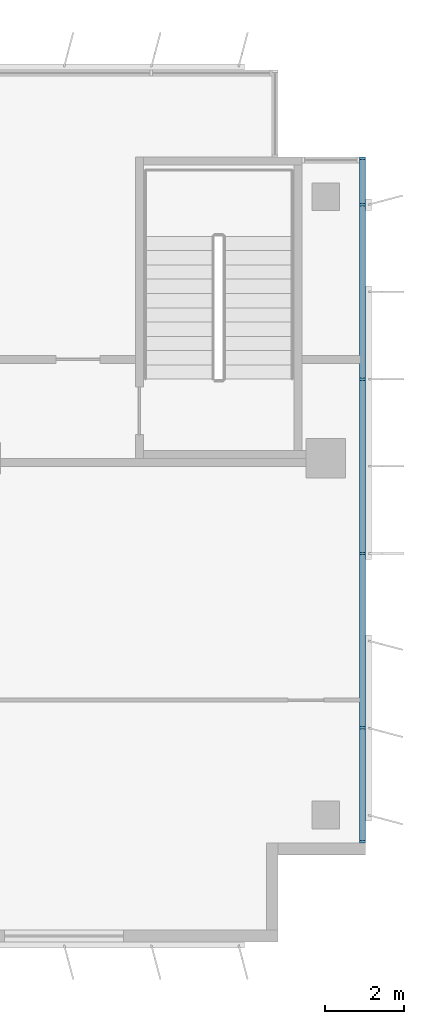
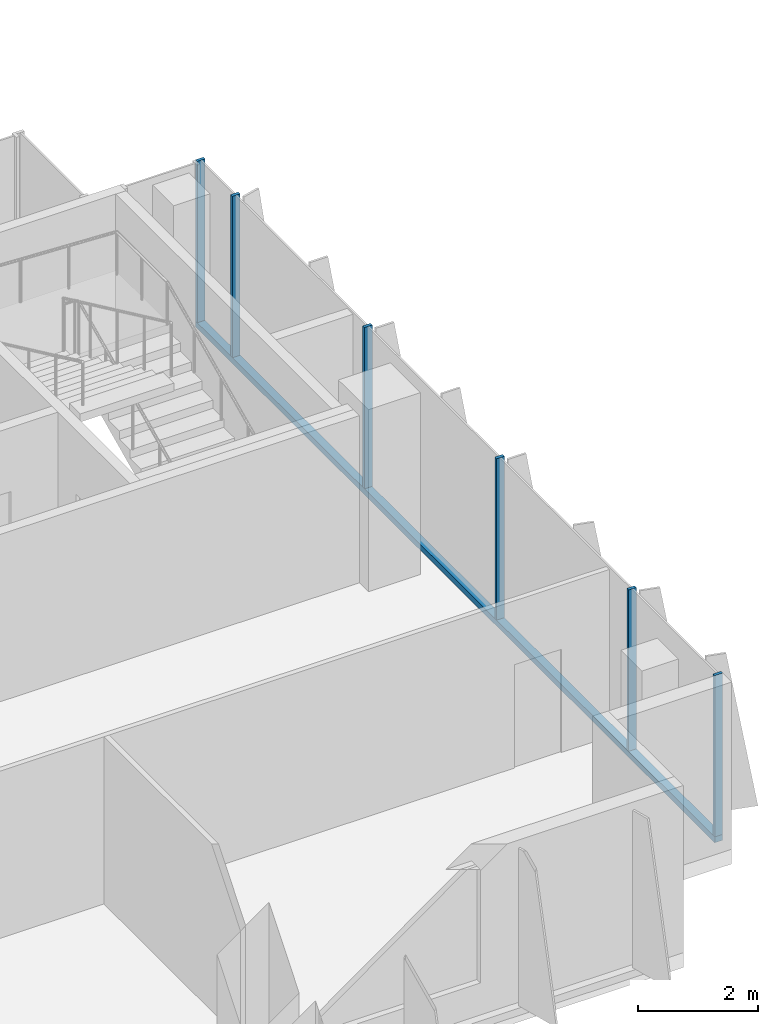
# One storey, part 8 of 21: 7 members, 1 element without a shape of its own.
"""IFC4 building model written with IfcOpenShell, lengths in metres."""

from ifc_helpers import new_model, si_unit, direction, frame, origin, origin_2d, place, context, subcontext, project, spatial, rectangle, extrude, source, transform, mapped, material, material_profile, profile_set, type_object, element, aggregate, save


model = new_model("IFC4")

# Units and contexts
model_context = context("Model", 3, precision=1e-05, world=origin(), true_north=direction((0.0, 1.0)))
body_context = subcontext(model_context, "Body", "Model", "MODEL_VIEW")
ifc_project = project(units=[si_unit("LENGTHUNIT", "METRE"), si_unit("AREAUNIT", "SQUARE_METRE"), si_unit("VOLUMEUNIT", "CUBIC_METRE"), si_unit("PLANEANGLEUNIT", "RADIAN"), si_unit("MASSUNIT", "GRAM", prefix="KILO")], contexts=[model_context])

# Site, building, storey
site_placement = place(None, origin())
site = spatial("IfcSite", under=ifc_project, at=site_placement, CompositionType="ELEMENT")
building_placement = place(site_placement, origin())
building = spatial("IfcBuilding", under=site, at=building_placement, Name="Kemantara Hotel Tower", CompositionType="ELEMENT")
storey_placement = place(building_placement, frame((0.0, 0.0, 179.0)))
storey = spatial("IfcBuildingStorey", under=building, at=storey_placement, Name="L44", CompositionType="ELEMENT", Elevation=179.0)

# Curtain wall, members
ifc_material_1 = material(Name="Low-E tinted double insulated glass 36 mm", Category="glass")
curtain_wall_type = type_object("IfcCurtainWallType", Name="TOWER CURTAIN WALL, FRONT FACES", PredefinedType="USERDEFINED", material=ifc_material_1)
curtain_wall_placement = place(storey_placement, origin())
curtain_wall = element("IfcCurtainWall", 1, at=curtain_wall_placement, inside=storey, type_object=curtain_wall_type, Name="CW4 L44 T3-R11-1", ObjectType="TOWER CURTAIN WALL, FRONT FACES", PredefinedType="USERDEFINED")
ifc_material_2 = material(Name="Aluminium 6063-T6 bronze anodised", Category="aluminium")
ifc_material_profile_1 = material_profile(ifc_material_2, rectangle(XDim=0.14990234375, YDim=0.1201171875, at=origin_2d()), Name="TOWER CURTAIN WALL, FRONT FACES TRANSOM")
ifc_profile_set_1 = profile_set([ifc_material_profile_1], Name="Aluminium 6063-T6 bronze anodised")
member_type_1 = type_object("IfcMemberType", Name="TOWER CURTAIN WALL, FRONT FACES TRANSOM", PredefinedType="USERDEFINED", material=ifc_profile_set_1)
member_1_placement = place(storey_placement, frame((63.52490234375, 2.5, 0.06005859375), z_axis=(0.0, 1.0, 0.0), x_axis=(-1.0, 0.0, 0.0)))
member_1 = element("IfcMember", 2, at=member_1_placement, type_object=member_type_1, Name="CW4 sill transom T3-R11-1", ObjectType="TRANSOM", PredefinedType="USERDEFINED", context=body_context, shape_type="SweptSolid", body=[
    extrude(rectangle(XDim=0.14990234375, YDim=0.1201171875, at=origin_2d()), origin(), (0.0, 0.0, 1.0), 17.300048828125),
])
ifc_material_profile_2 = material_profile(ifc_material_2, rectangle(XDim=0.14990234375, YDim=0.06005859375, at=origin_2d()), Name="TOWER CURTAIN WALL, FRONT FACES MULLION")
ifc_profile_set_2 = profile_set([ifc_material_profile_2], Name="Aluminium 6063-T6 bronze anodised")
member_type_2 = type_object("IfcMemberType", Name="TOWER CURTAIN WALL, FRONT FACES MULLION", PredefinedType="MULLION", material=ifc_profile_set_2)
shared_shape = source(origin(), body_context, "Body", "SweptSolid", [
    extrude(rectangle(XDim=0.14990234375, YDim=0.06005859375, at=origin_2d()), origin(), (0.0, 0.0, 1.0), 3.27978515625),
])
member_2_placement = place(storey_placement, frame((63.52490234375, 2.530029296875, 0.1201171875), z_axis=(0.0, 0.0, 1.0), x_axis=(-1.0, 0.0, 0.0)))
member_2 = element("IfcMember", 3, at=member_2_placement, type_object=member_type_2, Name="CW4 mullion T3-R11-1.1", PredefinedType="MULLION", context=body_context, shape_type="MappedRepresentation", body=[
    mapped(shared_shape, transform((0.0, 0.0, 0.0))),
])
member_3_placement = place(storey_placement, frame((63.52490234375, 5.39990234375, 0.1201171875), z_axis=(0.0, 0.0, 1.0), x_axis=(-1.0, 0.0, 0.0)))
member_3 = element("IfcMember", 4, at=member_3_placement, type_object=member_type_2, Name="CW4 mullion T3-R11-1.2", PredefinedType="MULLION", context=body_context, shape_type="MappedRepresentation", body=[
    mapped(shared_shape, transform((0.0, 0.0, 0.0))),
])
member_4_placement = place(storey_placement, frame((63.52490234375, 9.800048828125, 0.1201171875), z_axis=(0.0, 0.0, 1.0), x_axis=(-1.0, 0.0, 0.0)))
member_4 = element("IfcMember", 5, at=member_4_placement, type_object=member_type_2, Name="CW4 mullion T3-R11-1.3", PredefinedType="MULLION", context=body_context, shape_type="MappedRepresentation", body=[
    mapped(shared_shape, transform((0.0, 0.0, 0.0))),
])
member_5_placement = place(storey_placement, frame((63.52490234375, 14.199951171875, 0.1201171875), z_axis=(0.0, 0.0, 1.0), x_axis=(-1.0, 0.0, 0.0)))
member_5 = element("IfcMember", 6, at=member_5_placement, type_object=member_type_2, Name="CW4 mullion T3-R11-1.4", PredefinedType="MULLION", context=body_context, shape_type="MappedRepresentation", body=[
    mapped(shared_shape, transform((0.0, 0.0, 0.0))),
])
member_6_placement = place(storey_placement, frame((63.52490234375, 18.60009765625, 0.1201171875), z_axis=(0.0, 0.0, 1.0), x_axis=(-1.0, 0.0, 0.0)))
member_6 = element("IfcMember", 7, at=member_6_placement, type_object=member_type_2, Name="CW4 mullion T3-R11-1.5", PredefinedType="MULLION", context=body_context, shape_type="MappedRepresentation", body=[
    mapped(shared_shape, transform((0.0, 0.0, 0.0))),
])
member_7_placement = place(storey_placement, frame((63.52490234375, 19.77001953125, 0.1201171875), z_axis=(0.0, 0.0, 1.0), x_axis=(-1.0, 0.0, 0.0)))
member_7 = element("IfcMember", 8, at=member_7_placement, type_object=member_type_2, Name="CW4 mullion T3-R11-1.6", PredefinedType="MULLION", context=body_context, shape_type="MappedRepresentation", body=[
    mapped(shared_shape, transform((0.0, 0.0, 0.0))),
])
aggregate(curtain_wall, [member_1, member_2, member_3, member_4, member_5, member_6, member_7])

save(model, "model.ifc")
